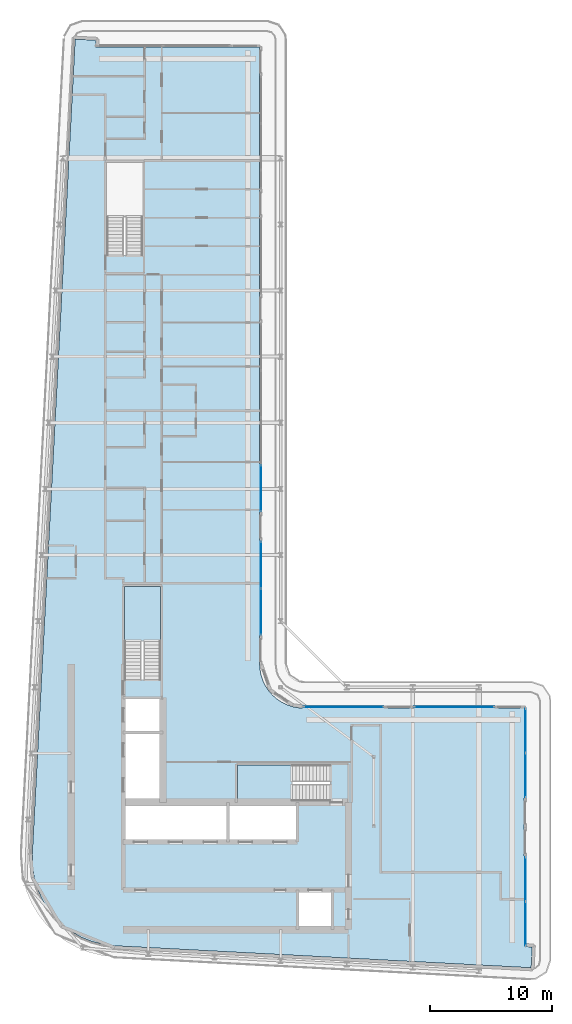
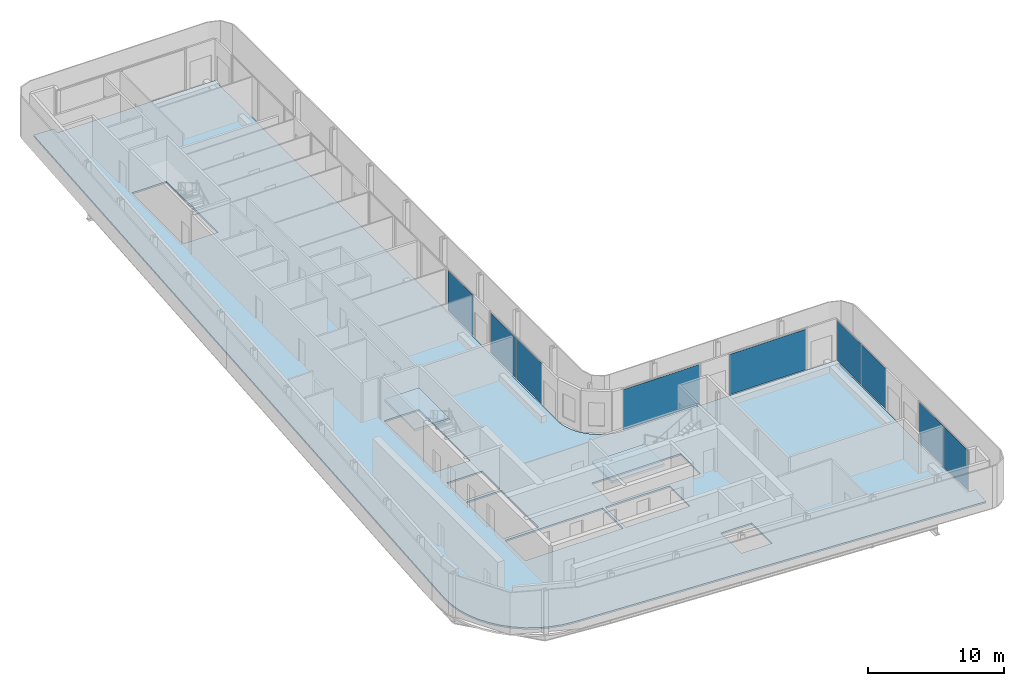
# One storey, part 9 of 20: 9 plates, 3 slabs, 8 elements without a shape of their own.
"""IFC4 building model written with IfcOpenShell, lengths in metres."""

from ifc_helpers import new_model, si_unit, direction, frame, origin, origin_2d, place, context, subcontext, project, spatial, polyline, rectangle, outline, extrude, material, layer, layer_set, type_object, element, aggregate, save


model = new_model("IFC4")

# Units and contexts
model_context = context("Model", 3, precision=1e-05, world=origin(), true_north=direction((0.0, 1.0)))
body_context = subcontext(model_context, "Body", "Model", "MODEL_VIEW")
ifc_project = project(units=[si_unit("LENGTHUNIT", "METRE"), si_unit("AREAUNIT", "SQUARE_METRE"), si_unit("VOLUMEUNIT", "CUBIC_METRE"), si_unit("PLANEANGLEUNIT", "RADIAN"), si_unit("MASSUNIT", "GRAM", prefix="KILO")], contexts=[model_context])

# Site, building, storey
site_placement = place(None, origin())
site = spatial("IfcSite", under=ifc_project, at=site_placement, CompositionType="ELEMENT")
building_placement = place(site_placement, origin())
building = spatial("IfcBuilding", under=site, at=building_placement, Name="Kheshtan School and Residences Tower", CompositionType="ELEMENT")
storey_placement = place(building_placement, frame((0.0, 0.0, 286.39990234375)))
storey = spatial("IfcBuildingStorey", under=building, at=storey_placement, Name="L67", CompositionType="ELEMENT", Elevation=286.39990234375)

# Curtain wall, plate
ifc_material_1 = material(Name="Clear low-e glass in thermally broken aluminium frame", Category="aluminium")
ifc_layer_1 = layer(ifc_material_1, 0.199951171875)
ifc_layer_set_1 = layer_set([ifc_layer_1], Name="Curtain wall CW-L")
curtain_wall_type = type_object("IfcCurtainWallType", Name="Curtain wall CW-L", PredefinedType="NOTDEFINED", material=ifc_layer_set_1)
curtain_wall_1_placement = place(storey_placement, origin())
curtain_wall_1 = element("IfcCurtainWall", 1, at=curtain_wall_1_placement, inside=storey, type_object=curtain_wall_type, Name="Curtain wall CWL8", PredefinedType="NOTDEFINED")
ifc_layer_2 = layer(ifc_material_1, 0.031982421875)
ifc_layer_set_2 = layer_set([ifc_layer_2], Name="CW-L glass panel")
plate_type = type_object("IfcPlateType", Name="CW-L glass panel", PredefinedType="CURTAIN_PANEL", material=ifc_layer_set_2)
plate_1_placement = place(storey_placement, frame((46.0, 61.862548828125, 0.000244140625), z_axis=(0.0, 0.0, 1.0), x_axis=(0.0, -1.0, 0.0)))
plate_1 = element("IfcPlate", 2, at=plate_1_placement, type_object=plate_type, Name="CWL8 panel 2.1", PredefinedType="CURTAIN_PANEL", context=body_context, shape_type="SweptSolid", body=[
    extrude(rectangle(XDim=3.757080078125, YDim=0.031982421875, at=origin_2d()), origin(), (0.0, 0.0, 1.0), 3.6298828125),
])
aggregate(curtain_wall_1, [plate_1])

# Curtain wall, plates
curtain_wall_2_placement = place(storey_placement, origin())
curtain_wall_2 = element("IfcCurtainWall", 3, at=curtain_wall_2_placement, inside=storey, type_object=curtain_wall_type, Name="Curtain wall CWL8", PredefinedType="NOTDEFINED")
plate_2_placement = place(storey_placement, frame((46.0, 55.58544921875, 0.000244140625), z_axis=(0.0, 0.0, 1.0), x_axis=(0.0, -1.0, 0.0)))
plate_2 = element("IfcPlate", 4, at=plate_2_placement, type_object=plate_type, Name="CWL8 panel 1.1", PredefinedType="CURTAIN_PANEL", context=body_context, shape_type="SweptSolid", body=[
    extrude(rectangle(XDim=3.757080078125, YDim=0.031982421875, at=origin_2d()), origin(), (0.0, 0.0, 1.0), 3.6298828125),
])
plate_3_placement = place(storey_placement, frame((46.0, 51.7685546875, 0.000244140625), z_axis=(0.0, 0.0, 1.0), x_axis=(0.0, -1.0, 0.0)))
plate_3 = element("IfcPlate", 5, at=plate_3_placement, type_object=plate_type, Name="CWL8 panel 2.1", PredefinedType="CURTAIN_PANEL", context=body_context, shape_type="SweptSolid", body=[
    extrude(rectangle(XDim=3.757080078125, YDim=0.031982421875, at=origin_2d()), origin(), (0.0, 0.0, 1.0), 3.6298828125),
])
aggregate(curtain_wall_2, [plate_2, plate_3])

# Curtain wall, plate
curtain_wall_3_placement = place(storey_placement, origin())
curtain_wall_3 = element("IfcCurtainWall", 6, at=curtain_wall_3_placement, inside=storey, type_object=curtain_wall_type, Name="Curtain wall CWL1233", PredefinedType="NOTDEFINED")
plate_4_placement = place(storey_placement, frame((52.74755859375, 44.0, 0.000244140625), z_axis=(0.0, 0.0, 1.0), x_axis=(1.0, 0.0, 0.0)))
plate_4 = element("IfcPlate", 7, at=plate_4_placement, type_object=plate_type, Name="CWL1233 panel 1.1", PredefinedType="CURTAIN_PANEL", context=body_context, shape_type="SweptSolid", body=[
    extrude(rectangle(XDim=6.514892578125, YDim=0.031982421875, at=origin_2d()), origin(), (0.0, 0.0, 1.0), 3.6298828125),
])
aggregate(curtain_wall_3, [plate_4])

curtain_wall_4_placement = place(storey_placement, origin())
curtain_wall_4 = element("IfcCurtainWall", 8, at=curtain_wall_4_placement, inside=storey, type_object=curtain_wall_type, Name="Curtain wall CWL1233", PredefinedType="NOTDEFINED")
plate_5_placement = place(storey_placement, frame((61.782470703125, 44.0, 0.000244140625), z_axis=(0.0, 0.0, 1.0), x_axis=(1.0, 0.0, 0.0)))
plate_5 = element("IfcPlate", 9, at=plate_5_placement, type_object=plate_type, Name="CWL1233 panel 1.1", PredefinedType="CURTAIN_PANEL", context=body_context, shape_type="SweptSolid", body=[
    extrude(rectangle(XDim=6.514892578125, YDim=0.031982421875, at=origin_2d()), origin(), (0.0, 0.0, 1.0), 3.6298828125),
])
aggregate(curtain_wall_4, [plate_5])

# Curtain wall, plates
curtain_wall_5_placement = place(storey_placement, origin())
curtain_wall_5 = element("IfcCurtainWall", 10, at=curtain_wall_5_placement, inside=storey, type_object=curtain_wall_type, Name="Curtain wall CWL13e", PredefinedType="NOTDEFINED")
plate_6_placement = place(storey_placement, frame((67.60009765625, 42.0498046875, 0.000244140625), z_axis=(0.0, 0.0, 1.0), x_axis=(0.0, -1.0, 0.0)))
plate_6 = element("IfcPlate", 11, at=plate_6_placement, type_object=plate_type, Name="CWL13e panel 1.1", PredefinedType="CURTAIN_PANEL", context=body_context, shape_type="SweptSolid", body=[
    extrude(rectangle(XDim=3.580322265625, YDim=0.031982421875, at=origin_2d()), origin(), (0.0, 0.0, 1.0), 3.6298828125),
])
plate_7_placement = place(storey_placement, frame((67.60009765625, 38.40966796875, 0.000244140625), z_axis=(0.0, 0.0, 1.0), x_axis=(0.0, -1.0, 0.0)))
plate_7 = element("IfcPlate", 12, at=plate_7_placement, type_object=plate_type, Name="CWL13e panel 2.1", PredefinedType="CURTAIN_PANEL", context=body_context, shape_type="SweptSolid", body=[
    extrude(rectangle(XDim=3.580322265625, YDim=0.031982421875, at=origin_2d()), origin(), (0.0, 0.0, 1.0), 3.6298828125),
])
aggregate(curtain_wall_5, [plate_6, plate_7])

curtain_wall_6_placement = place(storey_placement, origin())
curtain_wall_6 = element("IfcCurtainWall", 13, at=curtain_wall_6_placement, inside=storey, type_object=curtain_wall_type, Name="Curtain wall CWL13e", PredefinedType="NOTDEFINED")
plate_8_placement = place(storey_placement, frame((67.60009765625, 29.909423828125, 0.000244140625), z_axis=(0.0, 0.0, 1.0), x_axis=(0.0, -1.0, 0.0)))
plate_8 = element("IfcPlate", 14, at=plate_8_placement, type_object=plate_type, Name="CWL13e panel 1.1", PredefinedType="CURTAIN_PANEL", context=body_context, shape_type="SweptSolid", body=[
    extrude(rectangle(XDim=3.580322265625, YDim=0.031982421875, at=origin_2d()), origin(), (0.0, 0.0, 1.0), 3.6298828125),
])
plate_9_placement = place(storey_placement, frame((67.60009765625, 26.26904296875, 0.000244140625), z_axis=(0.0, 0.0, 1.0), x_axis=(0.0, -1.0, 0.0)))
plate_9 = element("IfcPlate", 15, at=plate_9_placement, type_object=plate_type, Name="CWL13e panel 2.1", PredefinedType="CURTAIN_PANEL", context=body_context, shape_type="SweptSolid", body=[
    extrude(rectangle(XDim=3.580322265625, YDim=0.031982421875, at=origin_2d()), origin(), (0.0, 0.0, 1.0), 3.6298828125),
])
aggregate(curtain_wall_6, [plate_8, plate_9])

# Slab
ifc_material_2 = material(Name="Concrete C40/50", Category="concrete")
ifc_layer_3 = layer(ifc_material_2, 0.14990234375)
ifc_layer_set_3 = layer_set([ifc_layer_3], Name="Floor slab 150 Concrete C40/50")
slab_type_1 = type_object("IfcSlabType", Name="Floor slab 150 Concrete C40/50", PredefinedType="FLOOR", material=ifc_layer_set_3)
slab_1_placement = place(storey_placement, frame((0.0, 0.0, -0.14990234375)))
element("IfcSlab", 16, at=slab_1_placement, inside=storey, type_object=slab_type_1, Name="Floor slab L67", PredefinedType="FLOOR", context=body_context, shape_type="SweptSolid", body=[
    extrude(outline(polyline([(28.55908203125, 27.550048828125), (28.0849609375, 28.345947265625), (27.718017578125, 29.200927734375), (27.466064453125, 30.093017578125), (27.466064453125, 30.093994140625), (27.3330078125, 31.013916015625), (27.320068359375, 31.965087890625), (27.320068359375, 31.970947265625), (30.822021484375, 98.5009765625), (30.822998046875, 98.508056640625), (30.825927734375, 98.531005859375), (30.825927734375, 98.531982421875), (30.826904296875, 98.531982421875), (31.422119140625, 98.5), (31.423095703125, 98.5), (31.423095703125, 98.4990234375), (31.423095703125, 98.4951171875), (31.423095703125, 98.493896484375), (31.424072265625, 98.493896484375), (31.424072265625, 98.492919921875), (31.425048828125, 98.492919921875), (31.426025390625, 98.492919921875), (31.426025390625, 98.493896484375), (31.427978515625, 98.49609375), (31.428955078125, 98.4970703125), (31.429931640625, 98.498046875), (31.430908203125, 98.498046875), (31.430908203125, 98.4990234375), (31.431884765625, 98.4990234375), (31.431884765625, 98.5), (31.43505859375, 98.5009765625), (31.43603515625, 98.501953125), (31.43896484375, 98.501953125), (31.43994140625, 98.501953125), (31.43994140625, 98.5029296875), (31.44091796875, 98.5029296875), (31.446044921875, 98.5029296875), (32.5009765625, 98.447021484375), (32.50390625, 98.447021484375), (32.5048828125, 98.447021484375), (32.5048828125, 98.446044921875), (32.506103515625, 98.446044921875), (32.510009765625, 98.446044921875), (32.510009765625, 98.445068359375), (32.510986328125, 98.445068359375), (32.510986328125, 98.444091796875), (32.511962890625, 98.444091796875), (32.511962890625, 98.443115234375), (32.512939453125, 98.443115234375), (32.513916015625, 98.443115234375), (32.513916015625, 98.44189453125), (32.514892578125, 98.44189453125), (32.51611328125, 98.44189453125), (32.51904296875, 98.43896484375), (32.51904296875, 98.43798828125), (32.51904296875, 98.43701171875), (32.52001953125, 98.43701171875), (32.52001953125, 98.43603515625), (32.52099609375, 98.43603515625), (32.52099609375, 98.43408203125), (32.52099609375, 98.43310546875), (32.52197265625, 98.43310546875), (32.52197265625, 98.431884765625), (32.52294921875, 98.431884765625), (32.52294921875, 98.430908203125), (32.52294921875, 98.428955078125), (32.52294921875, 98.427978515625), (32.52392578125, 98.427978515625), (32.52392578125, 98.427001953125), (32.52392578125, 98.422119140625), (32.4970703125, 97.9208984375), (32.4970703125, 97.91796875), (32.4970703125, 97.9169921875), (32.49609375, 97.9169921875), (32.49609375, 97.916015625), (32.49609375, 97.912109375), (32.4951171875, 97.910888671875), (32.4951171875, 97.909912109375), (32.493896484375, 97.909912109375), (32.493896484375, 97.908935546875), (32.492919921875, 97.908935546875), (32.492919921875, 97.907958984375), (32.489013671875, 97.904052734375), (32.488037109375, 97.904052734375), (32.488037109375, 97.903076171875), (32.488037109375, 97.902099609375), (32.488037109375, 97.90087890625), (32.489013671875, 97.90087890625), (32.489013671875, 97.89990234375), (32.489990234375, 97.89990234375), (45.85498046875, 97.89990234375), (45.864990234375, 97.89794921875), (45.865966796875, 97.89794921875), (45.868896484375, 97.89599609375), (45.8740234375, 97.89404296875), (45.8779296875, 97.89208984375), (45.881103515625, 97.889892578125), (45.881103515625, 97.888916015625), (45.882080078125, 97.888916015625), (45.882080078125, 97.887939453125), (45.883056640625, 97.887939453125), (45.884033203125, 97.885009765625), (45.885009765625, 97.885009765625), (45.885009765625, 97.884033203125), (45.887939453125, 97.883056640625), (45.887939453125, 97.882080078125), (45.888916015625, 97.882080078125), (45.888916015625, 97.881103515625), (45.889892578125, 97.881103515625), (45.89208984375, 97.8779296875), (45.89404296875, 97.8740234375), (45.89599609375, 97.868896484375), (45.89794921875, 97.865966796875), (45.89794921875, 97.864990234375), (45.89990234375, 97.85498046875), (45.89990234375, 47.429931640625), (45.927001953125, 47.030029296875), (46.01806640625, 46.570068359375), (46.01806640625, 46.569091796875), (46.169921875, 46.1201171875), (46.37890625, 45.697021484375), (46.638916015625, 45.30810546875), (46.949951171875, 44.950927734375), (46.950927734375, 44.949951171875), (47.30810546875, 44.638916015625), (47.697021484375, 44.37890625), (48.1201171875, 44.169921875), (48.569091796875, 44.01806640625), (48.570068359375, 44.01806640625), (49.030029296875, 43.927001953125), (49.429931640625, 43.89990234375), (67.455078125, 43.89990234375), (67.4599609375, 43.89892578125), (67.465087890625, 43.89794921875), (67.466064453125, 43.89794921875), (67.468994140625, 43.89599609375), (67.47412109375, 43.89404296875), (67.47802734375, 43.89208984375), (67.48095703125, 43.889892578125), (67.48095703125, 43.888916015625), (67.48193359375, 43.888916015625), (67.48193359375, 43.887939453125), (67.48291015625, 43.887939453125), (67.48388671875, 43.885009765625), (67.485107421875, 43.885009765625), (67.485107421875, 43.884033203125), (67.488037109375, 43.883056640625), (67.488037109375, 43.882080078125), (67.489013671875, 43.882080078125), (67.489013671875, 43.881103515625), (67.489990234375, 43.881103515625), (67.491943359375, 43.8779296875), (67.493896484375, 43.8740234375), (67.49609375, 43.868896484375), (67.498046875, 43.865966796875), (67.498046875, 43.864990234375), (67.4990234375, 43.860107421875), (67.5, 43.85498046875), (67.5, 24.4140625), (67.5, 24.4130859375), (67.5009765625, 24.4130859375), (67.5009765625, 24.412109375), (67.501953125, 24.412109375), (67.5029296875, 24.412109375), (67.5029296875, 24.4130859375), (67.5048828125, 24.4150390625), (67.507080078125, 24.4169921875), (67.508056640625, 24.4169921875), (67.508056640625, 24.41796875), (67.509033203125, 24.41796875), (67.509033203125, 24.4189453125), (67.510009765625, 24.4189453125), (67.511962890625, 24.419921875), (67.512939453125, 24.4208984375), (67.51611328125, 24.4208984375), (67.51708984375, 24.4208984375), (67.51708984375, 24.422119140625), (67.51806640625, 24.422119140625), (67.52294921875, 24.422119140625), (68.137939453125, 24.388916015625), (68.14111328125, 24.388916015625), (68.14208984375, 24.388916015625), (68.14208984375, 24.387939453125), (68.14306640625, 24.387939453125), (68.14697265625, 24.387939453125), (68.14697265625, 24.386962890625), (68.14794921875, 24.386962890625), (68.14794921875, 24.385986328125), (68.14892578125, 24.385986328125), (68.14892578125, 24.385009765625), (68.14990234375, 24.385009765625), (68.15087890625, 24.385009765625), (68.15087890625, 24.384033203125), (68.152099609375, 24.384033203125), (68.153076171875, 24.384033203125), (68.153076171875, 24.383056640625), (68.155029296875, 24.381103515625), (68.156005859375, 24.381103515625), (68.156005859375, 24.3798828125), (68.156005859375, 24.37890625), (68.156982421875, 24.37890625), (68.156982421875, 24.3779296875), (68.157958984375, 24.3779296875), (68.157958984375, 24.3759765625), (68.157958984375, 24.375), (68.158935546875, 24.375), (68.158935546875, 24.3740234375), (68.159912109375, 24.3740234375), (68.159912109375, 24.373046875), (68.159912109375, 24.37109375), (68.159912109375, 24.3701171875), (68.160888671875, 24.3701171875), (68.160888671875, 24.368896484375), (68.160888671875, 24.364013671875), (68.10498046875, 23.306884765625), (68.10498046875, 23.303955078125), (68.10498046875, 23.302978515625), (68.10400390625, 23.302978515625), (68.10400390625, 23.302001953125), (68.10400390625, 23.298095703125), (68.10302734375, 23.297119140625), (68.10302734375, 23.2958984375), (68.10205078125, 23.2958984375), (68.10205078125, 23.294921875), (68.10107421875, 23.294921875), (68.10107421875, 23.2939453125), (68.10009765625, 23.29296875), (68.097900390625, 23.291015625), (68.096923828125, 23.2900390625), (68.095947265625, 23.2900390625), (68.095947265625, 23.2890625), (68.095947265625, 23.2880859375), (68.095947265625, 23.287109375), (68.096923828125, 23.287109375), (68.096923828125, 23.285888671875), (68.097900390625, 23.285888671875), (68.09912109375, 23.285888671875), (68.10009765625, 23.285888671875), (68.10009765625, 23.284912109375), (68.068115234375, 22.68994140625), (68.068115234375, 22.68896484375), (68.06689453125, 22.68896484375), (68.04296875, 22.68798828125), (68.0380859375, 22.68798828125), (34.056884765625, 24.47802734375), (33.114990234375, 24.590087890625), (32.215087890625, 24.819091796875), (32.214111328125, 24.819091796875), (31.35205078125, 25.1630859375), (30.541015625, 25.616943359375), (29.799072265625, 26.1708984375), (29.799072265625, 26.172119140625), (29.798095703125, 26.172119140625), (29.134033203125, 26.820068359375), (29.134033203125, 26.821044921875), (29.133056640625, 26.821044921875), (28.55908203125, 27.550048828125)]), holes=[polyline([(67.5009765625, 23.29296875), (67.5, 23.29296875), (67.5, 23.2919921875), (67.5, 23.2880859375), (67.5, 23.287109375), (67.5009765625, 23.287109375), (67.5009765625, 23.285888671875), (67.501953125, 23.285888671875), (67.506103515625, 23.285888671875), (67.507080078125, 23.285888671875), (67.507080078125, 23.287109375), (67.508056640625, 23.287109375), (67.508056640625, 23.2880859375), (67.508056640625, 23.2890625), (67.507080078125, 23.2890625), (67.506103515625, 23.2900390625), (67.5048828125, 23.291015625), (67.5029296875, 23.29296875), (67.5029296875, 23.2939453125), (67.501953125, 23.2939453125), (67.5009765625, 23.2939453125), (67.5009765625, 23.29296875)]), polyline([(31.424072265625, 97.906982421875), (31.423095703125, 97.906982421875), (31.423095703125, 97.906005859375), (31.423095703125, 97.902099609375), (31.423095703125, 97.90087890625), (31.424072265625, 97.90087890625), (31.424072265625, 97.89990234375), (31.425048828125, 97.89990234375), (31.428955078125, 97.89990234375), (31.429931640625, 97.89990234375), (31.429931640625, 97.90087890625), (31.430908203125, 97.90087890625), (31.430908203125, 97.902099609375), (31.430908203125, 97.903076171875), (31.429931640625, 97.903076171875), (31.428955078125, 97.904052734375), (31.427978515625, 97.905029296875), (31.427001953125, 97.906005859375), (31.426025390625, 97.906982421875), (31.426025390625, 97.907958984375), (31.425048828125, 97.907958984375), (31.424072265625, 97.907958984375), (31.424072265625, 97.906982421875)]), polyline([(51.72509765625, 28.925048828125), (49.125, 28.925048828125), (49.125, 25.925048828125), (51.72509765625, 25.925048828125), (51.72509765625, 28.925048828125)]), polyline([(43.175048828125, 33.074951171875), (43.175048828125, 36.074951171875), (34.875, 36.074951171875), (34.875, 33.074951171875), (43.175048828125, 33.074951171875)]), polyline([(43.425048828125, 36.074951171875), (43.425048828125, 33.074951171875), (48.875, 33.074951171875), (48.875, 36.074951171875), (43.425048828125, 36.074951171875)]), polyline([(51.64990234375, 37.699951171875), (51.64990234375, 39.25), (44.090087890625, 39.25), (44.090087890625, 36.300048828125), (51.639892578125, 36.300048828125), (51.639892578125, 37.699951171875), (51.64990234375, 37.699951171875)]), polyline([(37.875, 41.77490234375), (34.875, 41.77490234375), (34.875, 36.324951171875), (37.875, 36.324951171875), (37.875, 41.77490234375)]), polyline([(37.875, 44.625), (34.875, 44.625), (34.875, 42.02490234375), (37.875, 42.02490234375), (37.875, 44.625)]), polyline([(37.800048828125, 53.81005859375), (34.85009765625, 53.81005859375), (34.85009765625, 46.260009765625), (36.25, 46.260009765625), (36.25, 46.25), (37.800048828125, 46.25), (37.800048828125, 53.81005859375)]), polyline([(36.35009765625, 88.4599609375), (33.39990234375, 88.4599609375), (33.39990234375, 80.909912109375), (34.800048828125, 80.909912109375), (34.800048828125, 80.89990234375), (36.35009765625, 80.89990234375), (36.35009765625, 88.4599609375)])]), origin(), (0.0, 0.0, 1.0), 0.14990234375),
])

# Stair, slab
stair_type = type_object("IfcStairType", Name="Exit stair, half-turn", PredefinedType="HALF_TURN_STAIR", material=ifc_material_2)
stair_1_placement = place(storey_placement, origin())
stair_1 = element("IfcStair", 17, at=stair_1_placement, inside=storey, type_object=stair_type, Name="L67 Protected Exit Stair ST1", PredefinedType="HALF_TURN_STAIR")
ifc_layer_4 = layer(ifc_material_2, 0.199951171875)
ifc_layer_set_4 = layer_set([ifc_layer_4], Name="Stair landing 200 Concrete C40/50")
slab_type_2 = type_object("IfcSlabType", Name="Stair landing 200 Concrete C40/50", PredefinedType="LANDING", material=ifc_layer_set_4)
slab_2_placement = place(storey_placement, frame((0.0, 0.0, 1.75)))
slab_2 = element("IfcSlab", 18, at=slab_2_placement, type_object=slab_type_2, Name="ST1 landing 1", PredefinedType="LANDING", context=body_context, shape_type="SweptSolid", body=[
    extrude(outline(polyline([(48.570068359375, 39.25), (44.090087890625, 39.25), (44.090087890625, 36.300048828125), (48.570068359375, 36.300048828125), (48.570068359375, 39.25)])), origin(), (0.0, 0.0, 1.0), 0.2001953125),
])
aggregate(stair_1, [slab_2])

stair_2_placement = place(storey_placement, origin())
stair_2 = element("IfcStair", 19, at=stair_2_placement, inside=storey, type_object=stair_type, Name="L67 Protected Exit Stair ST2", PredefinedType="HALF_TURN_STAIR")
slab_3_placement = place(storey_placement, frame((0.0, 0.0, 1.75)))
slab_3 = element("IfcSlab", 20, at=slab_3_placement, type_object=slab_type_2, Name="ST2 landing 1", PredefinedType="LANDING", context=body_context, shape_type="SweptSolid", body=[
    extrude(outline(polyline([(37.800048828125, 49.330078125), (37.800048828125, 53.81005859375), (34.85009765625, 53.81005859375), (34.85009765625, 49.330078125), (37.800048828125, 49.330078125)])), origin(), (0.0, 0.0, 1.0), 0.2001953125),
])
aggregate(stair_2, [slab_3])

save(model, "model.ifc")
